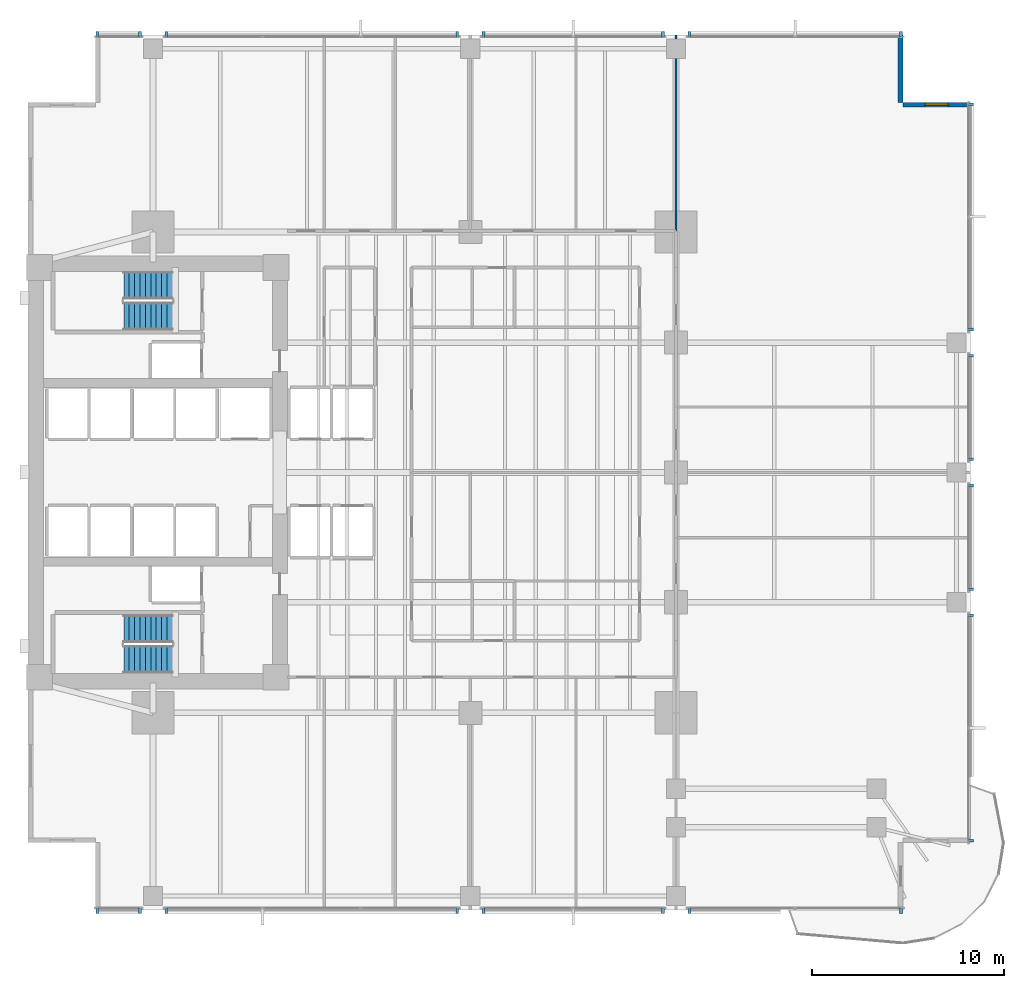
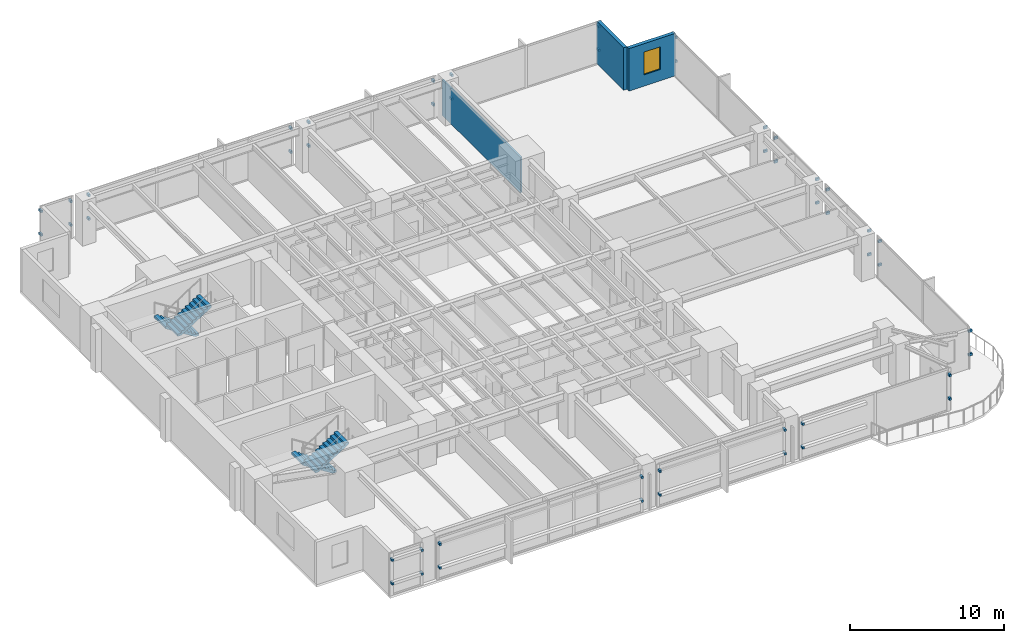
# One storey, part 11 of 15: 48 discrete accessories, 4 stair flights, 3 walls, 1 window, 1 opening, 2 elements without a shape of their own.
"""IFC4 building model written with IfcOpenShell, lengths in metres."""

from ifc_helpers import new_model, si_unit, direction, frame, frame_2d, origin, origin_2d, place, context, subcontext, project, spatial, polyline, rectangle, outline, extrude, material, layer, layer_set, type_object, element, fill, aggregate, save


model = new_model("IFC4")

# Units and contexts
model_context = context("Model", 3, precision=1e-05, world=origin(), true_north=direction((0.0, 1.0)))
body_context = subcontext(model_context, "Body", "Model", "MODEL_VIEW")
ifc_project = project(units=[si_unit("LENGTHUNIT", "METRE"), si_unit("AREAUNIT", "SQUARE_METRE"), si_unit("VOLUMEUNIT", "CUBIC_METRE"), si_unit("PLANEANGLEUNIT", "RADIAN"), si_unit("MASSUNIT", "GRAM", prefix="KILO")], contexts=[model_context])

# Site, building, storey
site_placement = place(None, origin())
site = spatial("IfcSite", under=ifc_project, at=site_placement, CompositionType="ELEMENT")
building_placement = place(site_placement, origin())
building = spatial("IfcBuilding", under=site, at=building_placement, Name="Kinhvarn Gate Tower", CompositionType="ELEMENT")
storey_placement = place(building_placement, frame((0.0, 0.0, 57.550048828125)))
storey = spatial("IfcBuildingStorey", under=building, at=storey_placement, Name="L14", CompositionType="ELEMENT", Elevation=57.550048828125)

# Wall, opening, window
ifc_material_1 = material(Name="Fired architectural terracotta", Category="masonry")
ifc_layer_1 = layer(ifc_material_1, 0.25)
ifc_layer_set_1 = layer_set([ifc_layer_1], Name="Fired architectural terracotta")
wall_type_1 = type_object("IfcWallType", Name="WL-EXT-250", PredefinedType="SOLIDWALL", material=ifc_layer_set_1)
wall_1_placement = place(storey_placement, frame((53.5, 44.375, 0.0), z_axis=(0.0, 0.0, 1.0), x_axis=(-1.0, 0.0, 0.0)))
wall_1 = element("IfcWall", 1, at=wall_1_placement, inside=storey, type_object=wall_type_1, Name="Exterior Solidwall Wall EW-250 (L14 NE-Notch-1)", PredefinedType="SOLIDWALL", context=body_context, shape_type="SweptSolid", body=[
    extrude(rectangle(XDim=3.5, YDim=0.25, at=frame_2d((1.75, 0.0))), origin(), (0.0, 0.0, 1.0), 3.369873046875),
])
opening_placement = place(wall_1_placement, frame((1.14990234375, 0.0, 0.89990234375)))
opening = element("IfcOpeningElement", 2, at=opening_placement, cuts=wall_1, Name="Opening WN-02", PredefinedType="OPENING", context=body_context, shape_type="SweptSolid", body=[
    extrude(rectangle(XDim=1.199951171875, YDim=1.800048828125, at=frame_2d((0.60009765625, 0.89990234375))), frame((0.0, 0.135009765625, 0.0), z_axis=(0.0, -1.0, 0.0), x_axis=(1.0, 0.0, 0.0)), (0.0, 0.0, 1.0), 0.27001953125),
])
ifc_material_2 = material(Name="Clear low-e double glazing", Category="glass")
window_type = type_object("IfcWindowType", Name="WIN-NTC-1200", PartitioningType="SINGLE_PANEL", PredefinedType="WINDOW", material=ifc_material_2)
window_placement = place(opening_placement, origin())
window = element("IfcWindow", 3, at=window_placement, inside=storey, type_object=window_type, Name="Recessed Corner Notch Punched Window 1200x1800 mm (L14)", OverallHeight=1.800048828125, OverallWidth=1.199951171875, PartitioningType="SINGLE_PANEL", PredefinedType="WINDOW", context=body_context, shape_type="SweptSolid", body=[
    extrude(rectangle(XDim=1.199951171875, YDim=1.800048828125, at=frame_2d((0.60009765625, 0.89990234375))), frame((0.0, 0.030029296875, 0.0), z_axis=(0.0, -1.0, 0.0), x_axis=(1.0, 0.0, 0.0)), (0.0, 0.0, 1.0), 0.06005859375),
])
fill(opening, window)

# Walls
wall_2_placement = place(storey_placement, frame((49.875, 44.5, 0.0), z_axis=(0.0, 0.0, 1.0), x_axis=(0.0, 1.0, 0.0)))
element("IfcWall", 4, at=wall_2_placement, inside=storey, type_object=wall_type_1, Name="Exterior Solidwall Wall EW-250 (L14 NE-Notch-2)", PredefinedType="SOLIDWALL", context=body_context, shape_type="SweptSolid", body=[
    extrude(rectangle(XDim=3.5, YDim=0.25, at=frame_2d((1.75, 0.0))), origin(), (0.0, 0.0, 1.0), 3.369873046875),
])
ifc_material_3 = material(Name="Gypsum acoustic partition board")
ifc_layer_2 = layer(ifc_material_3, 0.1201171875)
ifc_layer_set_2 = layer_set([ifc_layer_2], Name="Gypsum acoustic partition board")
wall_type_2 = type_object("IfcWallType", Name="WL-PRT-120", PredefinedType="PARTITIONING", material=ifc_layer_set_2)
wall_3_placement = place(storey_placement, frame((38.199951171875, 37.800048828125, 0.0), z_axis=(0.0, 0.0, 1.0), x_axis=(0.0, 1.0, 0.0)))
element("IfcWall", 5, at=wall_3_placement, inside=storey, type_object=wall_type_2, Name="Interior Partition PW-120 (L14)", PredefinedType="PARTITIONING", context=body_context, shape_type="SweptSolid", body=[
    extrude(rectangle(XDim=10.18994140625, YDim=0.1201171875, at=frame_2d((5.094970703125, 0.0))), origin(), (0.0, 0.0, 1.0), 2.820068359375),
])

# Stair, stair flights
ifc_material_4 = material(Name="Concrete C40/50", Category="concrete")
stair_type = type_object("IfcStairType", Name="STR-DLG-178", PredefinedType="HALF_TURN_STAIR", material=ifc_material_4)
stair_1_placement = place(storey_placement, origin())
stair_1 = element("IfcStair", 6, at=stair_1_placement, inside=storey, type_object=stair_type, Name="L14 Core Smokeproof Exit Stair ST1", PredefinedType="HALF_TURN_STAIR")
stair_flight_type = type_object("IfcStairFlightType", Name="STF-DLG-178", PredefinedType="STRAIGHT", material=ifc_material_4)
stair_flight_1_placement = place(storey_placement, frame((12.0, 17.125, 0.0), z_axis=(0.0, 0.0, 1.0), x_axis=(-1.0, 0.0, 0.0)))
stair_flight_1 = element("IfcStairFlight", 7, at=stair_flight_1_placement, type_object=stair_flight_type, Name="ST1 flight 1", NumberOfRisers=10, NumberOfTreads=9, PredefinedType="STRAIGHT", RiserHeight=0.1775, TreadLength=0.28, context=body_context, shape_type="SweptSolid", body=[
    extrude(outline(polyline([(0.0, 0.0), (0.0, 0.177490234375), (0.280029296875, 0.177490234375), (0.280029296875, 0.35498046875), (0.56005859375, 0.35498046875), (0.56005859375, 0.532470703125), (0.840087890625, 0.532470703125), (0.840087890625, 0.7099609375), (1.1201171875, 0.7099609375), (1.1201171875, 0.887451171875), (1.39990234375, 0.887451171875), (1.39990234375, 1.06494140625), (1.679931640625, 1.06494140625), (1.679931640625, 1.242431640625), (1.9599609375, 1.242431640625), (1.9599609375, 1.419921875), (2.239990234375, 1.419921875), (2.239990234375, 1.597412109375), (2.52001953125, 1.597412109375), (2.52001953125, 1.77490234375), (2.52001953125, 1.419921875), (0.280029296875, 0.0), (0.0, 0.0)])), frame((0.0, 0.72509765625, 0.0), z_axis=(0.0, -1.0, 0.0), x_axis=(1.0, 0.0, 0.0)), (0.0, 0.0, 1.0), 1.449951171875),
])
stair_flight_2_placement = place(storey_placement, frame((9.47998046875, 15.52490234375, 1.77490234375), z_axis=(0.0, 0.0, 1.0), x_axis=(1.0, 0.0, 0.0)))
stair_flight_2 = element("IfcStairFlight", 8, at=stair_flight_2_placement, type_object=stair_flight_type, Name="ST1 flight 2", NumberOfRisers=10, NumberOfTreads=9, PredefinedType="STRAIGHT", RiserHeight=0.1775, TreadLength=0.28, context=body_context, shape_type="SweptSolid", body=[
    extrude(outline(polyline([(0.0, 0.0), (0.0, 0.177490234375), (0.280029296875, 0.177490234375), (0.280029296875, 0.35498046875), (0.56005859375, 0.35498046875), (0.56005859375, 0.532470703125), (0.840087890625, 0.532470703125), (0.840087890625, 0.7099609375), (1.1201171875, 0.7099609375), (1.1201171875, 0.887451171875), (1.39990234375, 0.887451171875), (1.39990234375, 1.06494140625), (1.679931640625, 1.06494140625), (1.679931640625, 1.242431640625), (1.9599609375, 1.242431640625), (1.9599609375, 1.419921875), (2.239990234375, 1.419921875), (2.239990234375, 1.597412109375), (2.52001953125, 1.597412109375), (2.52001953125, 1.77490234375), (2.52001953125, 1.419921875), (0.280029296875, 0.0), (0.0, 0.0)])), frame((0.0, 0.72509765625, 0.0), z_axis=(0.0, -1.0, 0.0), x_axis=(1.0, 0.0, 0.0)), (0.0, 0.0, 1.0), 1.449951171875),
])
aggregate(stair_1, [stair_flight_1, stair_flight_2])

stair_2_placement = place(storey_placement, origin())
stair_2 = element("IfcStair", 9, at=stair_2_placement, inside=storey, type_object=stair_type, Name="L14 Core Smokeproof Exit Stair ST2", PredefinedType="HALF_TURN_STAIR")
stair_flight_3_placement = place(storey_placement, frame((12.0, 34.97509765625, 0.0), z_axis=(0.0, 0.0, 1.0), x_axis=(-1.0, 0.0, 0.0)))
stair_flight_3 = element("IfcStairFlight", 10, at=stair_flight_3_placement, type_object=stair_flight_type, Name="ST2 flight 1", NumberOfRisers=10, NumberOfTreads=9, PredefinedType="STRAIGHT", RiserHeight=0.1775, TreadLength=0.28, context=body_context, shape_type="SweptSolid", body=[
    extrude(outline(polyline([(0.0, 0.0), (0.0, 0.177490234375), (0.280029296875, 0.177490234375), (0.280029296875, 0.35498046875), (0.56005859375, 0.35498046875), (0.56005859375, 0.532470703125), (0.840087890625, 0.532470703125), (0.840087890625, 0.7099609375), (1.1201171875, 0.7099609375), (1.1201171875, 0.887451171875), (1.39990234375, 0.887451171875), (1.39990234375, 1.06494140625), (1.679931640625, 1.06494140625), (1.679931640625, 1.242431640625), (1.9599609375, 1.242431640625), (1.9599609375, 1.419921875), (2.239990234375, 1.419921875), (2.239990234375, 1.597412109375), (2.52001953125, 1.597412109375), (2.52001953125, 1.77490234375), (2.52001953125, 1.419921875), (0.280029296875, 0.0), (0.0, 0.0)])), frame((0.0, 0.72509765625, 0.0), z_axis=(0.0, -1.0, 0.0), x_axis=(1.0, 0.0, 0.0)), (0.0, 0.0, 1.0), 1.449951171875),
])
stair_flight_4_placement = place(storey_placement, frame((9.47998046875, 33.375, 1.77490234375), z_axis=(0.0, 0.0, 1.0), x_axis=(1.0, 0.0, 0.0)))
stair_flight_4 = element("IfcStairFlight", 11, at=stair_flight_4_placement, type_object=stair_flight_type, Name="ST2 flight 2", NumberOfRisers=10, NumberOfTreads=9, PredefinedType="STRAIGHT", RiserHeight=0.1775, TreadLength=0.28, context=body_context, shape_type="SweptSolid", body=[
    extrude(outline(polyline([(0.0, 0.0), (0.0, 0.177490234375), (0.280029296875, 0.177490234375), (0.280029296875, 0.35498046875), (0.56005859375, 0.35498046875), (0.56005859375, 0.532470703125), (0.840087890625, 0.532470703125), (0.840087890625, 0.7099609375), (1.1201171875, 0.7099609375), (1.1201171875, 0.887451171875), (1.39990234375, 0.887451171875), (1.39990234375, 1.06494140625), (1.679931640625, 1.06494140625), (1.679931640625, 1.242431640625), (1.9599609375, 1.242431640625), (1.9599609375, 1.419921875), (2.239990234375, 1.419921875), (2.239990234375, 1.597412109375), (2.52001953125, 1.597412109375), (2.52001953125, 1.77490234375), (2.52001953125, 1.419921875), (0.280029296875, 0.0), (0.0, 0.0)])), frame((0.0, 0.72509765625, 0.0), z_axis=(0.0, -1.0, 0.0), x_axis=(1.0, 0.0, 0.0)), (0.0, 0.0, 1.0), 1.449951171875),
])
aggregate(stair_2, [stair_flight_3, stair_flight_4])

# Discrete accessories
ifc_material_5 = material(Name="Anodised aluminium AW-6063", Category="aluminium")
discrete_accessory_type = type_object("IfcDiscreteAccessoryType", Name="ACC-BRK-01", PredefinedType="BRACKET", material=ifc_material_5)
for number, where, z_axis, x_axis, name in (
    (12, (8.10009765625, 2.4599609375, 0.9599609375), (0.0, 0.0, 1.0), (1.0, 0.0, 0.0), "Baguette Support Bracket BK-01 (L14)"),
    (13, (8.10009765625, 2.4599609375, 2.830078125), (0.0, 0.0, 1.0), (1.0, 0.0, 0.0), "Baguette Support Bracket BK-01 (L14)"),
    (14, (10.320068359375, 2.4599609375, 0.9599609375), (0.0, 0.0, 1.0), (1.0, 0.0, 0.0), "Baguette Support Bracket BK-01 (L14)"),
    (15, (10.320068359375, 2.4599609375, 2.830078125), (0.0, 0.0, 1.0), (1.0, 0.0, 0.0), "Baguette Support Bracket BK-01 (L14)"),
    (16, (11.679931640625, 2.4599609375, 0.9599609375), (0.0, 0.0, 1.0), (1.0, 0.0, 0.0), "Baguette Support Bracket BK-01 (L14)"),
    (17, (11.679931640625, 2.4599609375, 2.830078125), (0.0, 0.0, 1.0), (1.0, 0.0, 0.0), "Baguette Support Bracket BK-01 (L14)"),
    (18, (26.820068359375, 2.4599609375, 0.9599609375), (0.0, 0.0, 1.0), (1.0, 0.0, 0.0), "Baguette Support Bracket BK-01 (L14)"),
    (19, (26.820068359375, 2.4599609375, 2.830078125), (0.0, 0.0, 1.0), (1.0, 0.0, 0.0), "Baguette Support Bracket BK-01 (L14)"),
    (20, (28.179931640625, 2.4599609375, 0.9599609375), (0.0, 0.0, 1.0), (1.0, 0.0, 0.0), "Baguette Support Bracket BK-01 (L14)"),
    (21, (28.179931640625, 2.4599609375, 2.830078125), (0.0, 0.0, 1.0), (1.0, 0.0, 0.0), "Baguette Support Bracket BK-01 (L14)"),
    (22, (37.52001953125, 2.4599609375, 0.9599609375), (0.0, 0.0, 1.0), (1.0, 0.0, 0.0), "Baguette Support Bracket BK-01 (L14)"),
    (23, (37.52001953125, 2.4599609375, 2.830078125), (0.0, 0.0, 1.0), (1.0, 0.0, 0.0), "Baguette Support Bracket BK-01 (L14)"),
    (24, (38.8798828125, 2.4599609375, 0.9599609375), (0.0, 0.0, 1.0), (1.0, 0.0, 0.0), "Baguette Support Bracket BK-01 (L14)"),
    (25, (38.8798828125, 2.4599609375, 2.830078125), (0.0, 0.0, 1.0), (1.0, 0.0, 0.0), "Baguette Support Bracket BK-01 (L14)"),
    (26, (49.89990234375, 2.4599609375, 0.9599609375), (0.0, 0.0, 1.0), (1.0, 0.0, 0.0), "Baguette Support Bracket BK-01 (L14)"),
    (27, (49.89990234375, 2.4599609375, 2.830078125), (0.0, 0.0, 1.0), (1.0, 0.0, 0.0), "Baguette Support Bracket BK-01 (L14)"),
    (28, (49.89990234375, 48.0400390625, 0.9599609375), (0.0, 0.0, 1.0), (-1.0, 0.0, 0.0), "Baguette Support Bracket BK-01 (L14)"),
    (29, (49.89990234375, 48.0400390625, 2.830078125), (0.0, 0.0, 1.0), (-1.0, 0.0, 0.0), "Baguette Support Bracket BK-01 (L14)"),
    (30, (38.8798828125, 48.0400390625, 0.9599609375), (0.0, 0.0, 1.0), (-1.0, 0.0, 0.0), "Baguette Support Bracket BK-01 (L14)"),
    (31, (38.8798828125, 48.0400390625, 2.830078125), (0.0, 0.0, 1.0), (-1.0, 0.0, 0.0), "Baguette Support Bracket BK-01 (L14)"),
    (32, (37.52001953125, 48.0400390625, 0.9599609375), (0.0, 0.0, 1.0), (-1.0, 0.0, 0.0), "Baguette Support Bracket BK-01 (L14)"),
    (33, (37.52001953125, 48.0400390625, 2.830078125), (0.0, 0.0, 1.0), (-1.0, 0.0, 0.0), "Baguette Support Bracket BK-01 (L14)"),
    (34, (28.179931640625, 48.0400390625, 0.9599609375), (0.0, 0.0, 1.0), (-1.0, 0.0, 0.0), "Baguette Support Bracket BK-01 (L14)"),
    (35, (28.179931640625, 48.0400390625, 2.830078125), (0.0, 0.0, 1.0), (-1.0, 0.0, 0.0), "Baguette Support Bracket BK-01 (L14)"),
    (36, (26.820068359375, 48.0400390625, 0.9599609375), (0.0, 0.0, 1.0), (-1.0, 0.0, 0.0), "Baguette Support Bracket BK-01 (L14)"),
    (37, (26.820068359375, 48.0400390625, 2.830078125), (0.0, 0.0, 1.0), (-1.0, 0.0, 0.0), "Baguette Support Bracket BK-01 (L14)"),
    (38, (11.679931640625, 48.0400390625, 0.9599609375), (0.0, 0.0, 1.0), (-1.0, 0.0, 0.0), "Baguette Support Bracket BK-01 (L14)"),
    (39, (11.679931640625, 48.0400390625, 2.830078125), (0.0, 0.0, 1.0), (-1.0, 0.0, 0.0), "Baguette Support Bracket BK-01 (L14)"),
    (40, (10.320068359375, 48.0400390625, 0.9599609375), (0.0, 0.0, 1.0), (-1.0, 0.0, 0.0), "Baguette Support Bracket BK-01 (L14)"),
    (41, (10.320068359375, 48.0400390625, 2.830078125), (0.0, 0.0, 1.0), (-1.0, 0.0, 0.0), "Baguette Support Bracket BK-01 (L14)"),
    (42, (8.10009765625, 48.0400390625, 0.9599609375), (0.0, 0.0, 1.0), (-1.0, 0.0, 0.0), "Baguette Support Bracket BK-01 (L14)"),
    (43, (8.10009765625, 48.0400390625, 2.830078125), (0.0, 0.0, 1.0), (-1.0, 0.0, 0.0), "Baguette Support Bracket BK-01 (L14)"),
    (44, (53.5400390625, 6.10009765625, 0.9599609375), (0.0, 0.0, 1.0), (0.0, 1.0, 0.0), "Baguette Support Bracket BK-01 (L14)"),
    (45, (53.5400390625, 6.10009765625, 2.830078125), (0.0, 0.0, 1.0), (0.0, 1.0, 0.0), "Baguette Support Bracket BK-01 (L14)"),
    (46, (53.5400390625, 17.820068359375, 0.9599609375), (0.0, 0.0, 1.0), (0.0, 1.0, 0.0), "Baguette Support Bracket BK-01 (L14)"),
    (47, (53.5400390625, 17.820068359375, 2.830078125), (0.0, 0.0, 1.0), (0.0, 1.0, 0.0), "Baguette Support Bracket BK-01 (L14)"),
    (48, (53.5400390625, 19.179931640625, 0.9599609375), (0.0, 0.0, 1.0), (0.0, 1.0, 0.0), "Baguette Support Bracket BK-01 (L14)"),
    (49, (53.5400390625, 19.179931640625, 2.830078125), (0.0, 0.0, 1.0), (0.0, 1.0, 0.0), "Baguette Support Bracket BK-01 (L14)"),
    (50, (53.5400390625, 24.570068359375, 0.9599609375), (0.0, 0.0, 1.0), (0.0, 1.0, 0.0), "Baguette Support Bracket BK-01 (L14)"),
    (51, (53.5400390625, 24.570068359375, 2.830078125), (0.0, 0.0, 1.0), (0.0, 1.0, 0.0), "Baguette Support Bracket BK-01 (L14)"),
    (52, (53.5400390625, 25.929931640625, 0.9599609375), (0.0, 0.0, 1.0), (0.0, 1.0, 0.0), "Baguette Support Bracket BK-01 (L14)"),
    (53, (53.5400390625, 25.929931640625, 2.830078125), (0.0, 0.0, 1.0), (0.0, 1.0, 0.0), "Baguette Support Bracket BK-01 (L14)"),
    (54, (53.5400390625, 31.320068359375, 0.9599609375), (0.0, 0.0, 1.0), (0.0, 1.0, 0.0), "Baguette Support Bracket BK-01 (L14)"),
    (55, (53.5400390625, 31.320068359375, 2.830078125), (0.0, 0.0, 1.0), (0.0, 1.0, 0.0), "Baguette Support Bracket BK-01 (L14)"),
    (56, (53.5400390625, 32.679931640625, 0.9599609375), (0.0, 0.0, 1.0), (0.0, 1.0, 0.0), "Baguette Support Bracket BK-01 (L14)"),
    (57, (53.5400390625, 32.679931640625, 2.830078125), (0.0, 0.0, 1.0), (0.0, 1.0, 0.0), "Baguette Support Bracket BK-01 (L14)"),
    (58, (53.5400390625, 44.39990234375, 0.9599609375), (0.0, 0.0, 1.0), (0.0, 1.0, 0.0), "Baguette Support Bracket BK-01 (L14)"),
    (59, (53.5400390625, 44.39990234375, 2.830078125), (0.0, 0.0, 1.0), (0.0, 1.0, 0.0), "Baguette Support Bracket BK-01 (L14)"),
):
    element("IfcDiscreteAccessory", number, at=place(storey_placement, frame(where, z_axis=z_axis, x_axis=x_axis)), inside=storey, type_object=discrete_accessory_type, Name=name, PredefinedType="BRACKET", context=body_context, shape_type="SweptSolid", body=[
        extrude(rectangle(XDim=0.139892578125, YDim=0.280029296875, at=origin_2d()), origin(), (0.0, 0.0, 1.0), 0.179931640625),
    ])

save(model, "model.ifc")
